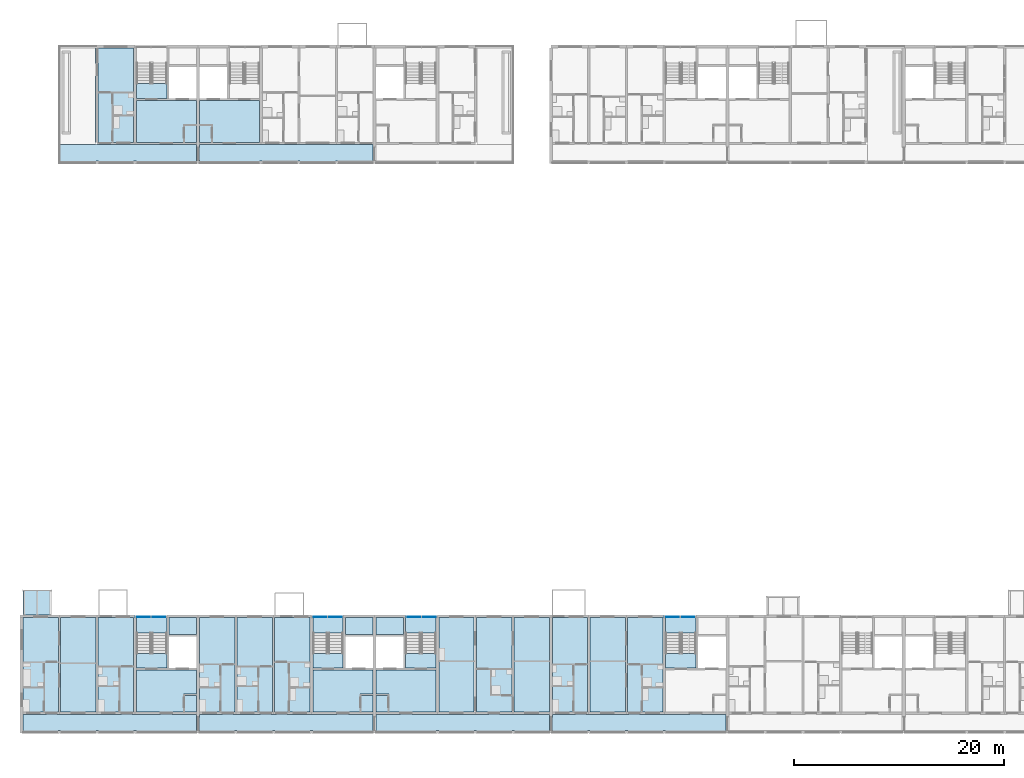
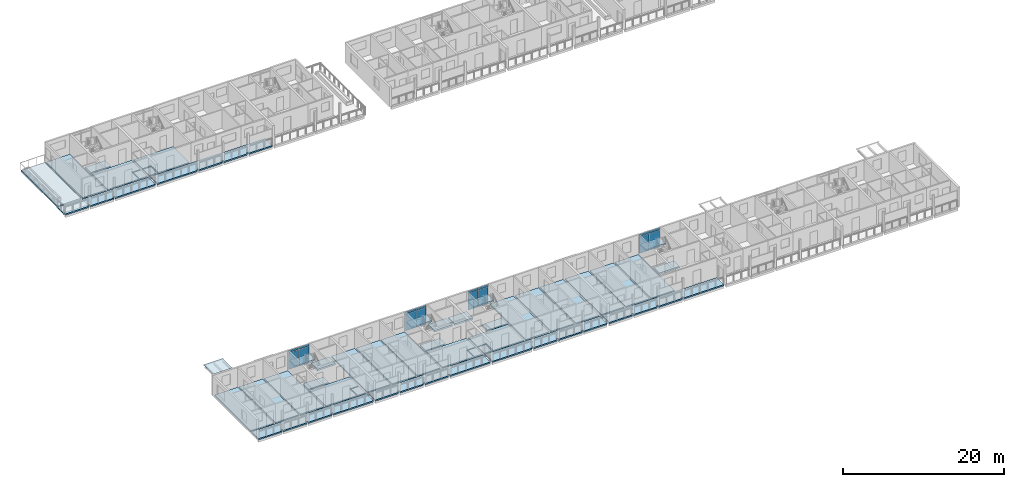
# One storey, part 23 of 94: 43 slabs, 16 plates, 8 elements without a shape of their own.
"""IFC4 building model written with IfcOpenShell, lengths in metres."""

from ifc_helpers import new_model, si_unit, direction, frame, origin, origin_2d, place, context, subcontext, project, spatial, polyline, rectangle, outline, extrude, material, layer, layer_set, type_object, element, aggregate, save


model = new_model("IFC4")

# Units and contexts
model_context = context("Model", 3, precision=1e-05, world=origin(), true_north=direction((0.0, 1.0)))
body_context = subcontext(model_context, "Body", "Model", "MODEL_VIEW")
ifc_project = project(units=[si_unit("LENGTHUNIT", "METRE"), si_unit("AREAUNIT", "SQUARE_METRE"), si_unit("VOLUMEUNIT", "CUBIC_METRE"), si_unit("PLANEANGLEUNIT", "RADIAN"), si_unit("MASSUNIT", "GRAM", prefix="KILO")], contexts=[model_context])

# Site, building, storey
site_placement = place(None, origin())
site = spatial("IfcSite", under=ifc_project, at=site_placement, CompositionType="ELEMENT")
building_placement = place(site_placement, origin())
building = spatial("IfcBuilding", under=site, at=building_placement, Name="Ridgestep Commons", CompositionType="ELEMENT")
storey_placement = place(building_placement, frame((0.0, 0.0, 21.0)))
storey = spatial("IfcBuildingStorey", under=building, at=storey_placement, Name="L07", CompositionType="ELEMENT", Elevation=21.0)

# Slabs
ifc_material_1 = material(Name="Precast concrete C40/50", Category="concrete")
ifc_layer_1 = layer(ifc_material_1, 0.199951171875)
ifc_layer_set_1 = layer_set([ifc_layer_1], Name="Gallery slab 200")
slab_type_1 = type_object("IfcSlabType", Name="Gallery slab 200", PredefinedType="FLOOR", material=ifc_layer_set_1)
slab_1_placement = place(storey_placement, frame((0.0, 0.0, -0.199951171875)))
element("IfcSlab", 1, at=slab_1_placement, inside=storey, type_object=slab_type_1, Name="Gallery slab A1 L07", PredefinedType="FLOOR", context=body_context, shape_type="SweptSolid", body=[
    extrude(outline(polyline([(28.64990234375, 13.550048828125), (12.14990234375, 13.550048828125), (12.14990234375, 11.75), (15.47509765625, 11.75), (15.47509765625, 12.0), (15.72509765625, 12.0), (15.72509765625, 11.75), (19.074951171875, 11.75), (19.074951171875, 12.0), (19.324951171875, 12.0), (19.324951171875, 11.75), (22.675048828125, 11.75), (22.675048828125, 12.0), (22.925048828125, 12.0), (22.925048828125, 11.75), (28.64990234375, 11.75), (28.64990234375, 13.550048828125)])), origin(), (0.0, 0.0, 1.0), 0.199951171875),
])
slab_2_placement = place(storey_placement, frame((0.0, 0.0, -0.199951171875)))
element("IfcSlab", 2, at=slab_2_placement, inside=storey, type_object=slab_type_1, Name="Gallery slab A2 L07", PredefinedType="FLOOR", context=body_context, shape_type="SweptSolid", body=[
    extrude(outline(polyline([(45.449951171875, 13.550048828125), (28.949951171875, 13.550048828125), (28.949951171875, 11.75), (32.27490234375, 11.75), (32.27490234375, 12.0), (32.52490234375, 12.0), (32.52490234375, 11.75), (35.875, 11.75), (35.875, 12.0), (36.125, 12.0), (36.125, 11.75), (39.47509765625, 11.75), (39.47509765625, 12.0), (39.72509765625, 12.0), (39.72509765625, 11.75), (45.449951171875, 11.75), (45.449951171875, 13.550048828125)])), origin(), (0.0, 0.0, 1.0), 0.199951171875),
])
slab_3_placement = place(storey_placement, frame((0.0, 0.0, -0.199951171875)))
element("IfcSlab", 3, at=slab_3_placement, inside=storey, type_object=slab_type_1, Name="Gallery slab A3 L07", PredefinedType="FLOOR", context=body_context, shape_type="SweptSolid", body=[
    extrude(outline(polyline([(62.25, 13.550048828125), (45.75, 13.550048828125), (45.75, 11.75), (51.47509765625, 11.75), (51.47509765625, 12.0), (51.72509765625, 12.0), (51.72509765625, 11.75), (55.074951171875, 11.75), (55.074951171875, 12.0), (55.324951171875, 12.0), (55.324951171875, 11.75), (58.675048828125, 11.75), (58.675048828125, 12.0), (58.925048828125, 12.0), (58.925048828125, 11.75), (62.25, 11.75), (62.25, 13.550048828125)])), origin(), (0.0, 0.0, 1.0), 0.199951171875),
])
slab_4_placement = place(storey_placement, frame((0.0, 0.0, -0.199951171875)))
element("IfcSlab", 4, at=slab_4_placement, inside=storey, type_object=slab_type_1, Name="Gallery slab A4 L07", PredefinedType="FLOOR", context=body_context, shape_type="SweptSolid", body=[
    extrude(outline(polyline([(79.050048828125, 13.550048828125), (62.550048828125, 13.550048828125), (62.550048828125, 11.75), (65.875, 11.75), (65.875, 12.0), (66.125, 12.0), (66.125, 11.75), (69.47509765625, 11.75), (69.47509765625, 12.0), (69.72509765625, 12.0), (69.72509765625, 11.75), (73.074951171875, 11.75), (73.074951171875, 12.0), (73.324951171875, 12.0), (73.324951171875, 11.75), (79.050048828125, 11.75), (79.050048828125, 13.550048828125)])), origin(), (0.0, 0.0, 1.0), 0.199951171875),
])
slab_5_placement = place(storey_placement, frame((0.0, 0.0, -0.199951171875)))
element("IfcSlab", 5, at=slab_5_placement, inside=storey, type_object=slab_type_1, Name="Gallery slab B1 L07", PredefinedType="FLOOR", context=body_context, shape_type="SweptSolid", body=[
    extrude(outline(polyline([(28.64990234375, 66.0), (28.64990234375, 67.800048828125), (15.60009765625, 67.800048828125), (15.60009765625, 66.25), (15.72509765625, 66.25), (15.72509765625, 66.0), (19.074951171875, 66.0), (19.074951171875, 66.25), (19.324951171875, 66.25), (19.324951171875, 66.0), (22.675048828125, 66.0), (22.675048828125, 66.25), (22.925048828125, 66.25), (22.925048828125, 66.0), (28.64990234375, 66.0)])), origin(), (0.0, 0.0, 1.0), 0.199951171875),
])
slab_6_placement = place(storey_placement, frame((0.0, 0.0, -0.199951171875)))
element("IfcSlab", 6, at=slab_6_placement, inside=storey, type_object=slab_type_1, Name="Gallery slab B2 L07", PredefinedType="FLOOR", context=body_context, shape_type="SweptSolid", body=[
    extrude(outline(polyline([(45.449951171875, 67.800048828125), (28.949951171875, 67.800048828125), (28.949951171875, 66.0), (34.675048828125, 66.0), (34.675048828125, 66.25), (34.925048828125, 66.25), (34.925048828125, 66.0), (38.27490234375, 66.0), (38.27490234375, 66.25), (38.52490234375, 66.25), (38.52490234375, 66.0), (41.875, 66.0), (41.875, 66.25), (42.125, 66.25), (42.125, 66.0), (45.449951171875, 66.0), (45.449951171875, 67.800048828125)])), origin(), (0.0, 0.0, 1.0), 0.199951171875),
])

# Curtain wall, plates
ifc_material_2 = material(Name="Aluminium 6063-T6 and glass", Category="aluminium")
curtain_wall_type = type_object("IfcCurtainWallType", Name="Curtain wall stair strip", PredefinedType="NOTDEFINED", material=ifc_material_2)
curtain_wall_1_placement = place(storey_placement, origin())
curtain_wall_1 = element("IfcCurtainWall", 7, at=curtain_wall_1_placement, inside=storey, type_object=curtain_wall_type, Name="Curtain wall A1C level 07", PredefinedType="NOTDEFINED")
ifc_material_3 = material(Name="Glass laminated 6/16/6 low-emissivity", Category="glass")
ifc_layer_2 = layer(ifc_material_3, 0.028076171875)
ifc_layer_set_2 = layer_set([ifc_layer_2], Name="Glazing panel 28")
plate_type_1 = type_object("IfcPlateType", Name="Glazing panel 28", PredefinedType="CURTAIN_PANEL", material=ifc_layer_set_2)
plate_1_placement = place(storey_placement, frame((23.5712890625, 22.830078125, 0.06005859375), z_axis=(0.0, 0.0, 1.0), x_axis=(1.0, 0.0, 0.0)))
plate_1 = element("IfcPlate", 8, at=plate_1_placement, type_object=plate_type_1, Name="CW1 panel 1.1", PredefinedType="CURTAIN_PANEL", context=body_context, shape_type="SweptSolid", body=[
    extrude(rectangle(XDim=1.422607421875, YDim=0.028076171875, at=origin_2d()), origin(), (0.0, 0.0, 1.0), 2.5),
])
plate_2_placement = place(storey_placement, frame((25.0537109375, 22.830078125, 0.06005859375), z_axis=(0.0, 0.0, 1.0), x_axis=(1.0, 0.0, 0.0)))
plate_2 = element("IfcPlate", 9, at=plate_2_placement, type_object=plate_type_1, Name="CW1 panel 2.1", PredefinedType="CURTAIN_PANEL", context=body_context, shape_type="SweptSolid", body=[
    extrude(rectangle(XDim=1.422607421875, YDim=0.028076171875, at=origin_2d()), origin(), (0.0, 0.0, 1.0), 2.5),
])

curtain_wall_2_placement = place(storey_placement, origin())
curtain_wall_2 = element("IfcCurtainWall", 10, at=curtain_wall_2_placement, inside=storey, type_object=curtain_wall_type, Name="Curtain wall A2C level 07", PredefinedType="NOTDEFINED")
plate_3_placement = place(storey_placement, frame((40.371337890625, 22.830078125, 0.06005859375), z_axis=(0.0, 0.0, 1.0), x_axis=(1.0, 0.0, 0.0)))
plate_3 = element("IfcPlate", 11, at=plate_3_placement, type_object=plate_type_1, Name="CW1 panel 1.1", PredefinedType="CURTAIN_PANEL", context=body_context, shape_type="SweptSolid", body=[
    extrude(rectangle(XDim=1.422607421875, YDim=0.028076171875, at=origin_2d()), origin(), (0.0, 0.0, 1.0), 2.5),
])
plate_4_placement = place(storey_placement, frame((41.853759765625, 22.830078125, 0.06005859375), z_axis=(0.0, 0.0, 1.0), x_axis=(1.0, 0.0, 0.0)))
plate_4 = element("IfcPlate", 12, at=plate_4_placement, type_object=plate_type_1, Name="CW1 panel 2.1", PredefinedType="CURTAIN_PANEL", context=body_context, shape_type="SweptSolid", body=[
    extrude(rectangle(XDim=1.422607421875, YDim=0.028076171875, at=origin_2d()), origin(), (0.0, 0.0, 1.0), 2.5),
])

curtain_wall_3_placement = place(storey_placement, origin())
curtain_wall_3 = element("IfcCurtainWall", 13, at=curtain_wall_3_placement, inside=storey, type_object=curtain_wall_type, Name="Curtain wall A3C level 07", PredefinedType="NOTDEFINED")
plate_5_placement = place(storey_placement, frame((49.34619140625, 22.830078125, 0.06005859375), z_axis=(0.0, 0.0, 1.0), x_axis=(1.0, 0.0, 0.0)))
plate_5 = element("IfcPlate", 14, at=plate_5_placement, type_object=plate_type_1, Name="CW1 panel 1.1", PredefinedType="CURTAIN_PANEL", context=body_context, shape_type="SweptSolid", body=[
    extrude(rectangle(XDim=1.422607421875, YDim=0.028076171875, at=origin_2d()), origin(), (0.0, 0.0, 1.0), 2.5),
])
plate_6_placement = place(storey_placement, frame((50.828857421875, 22.830078125, 0.06005859375), z_axis=(0.0, 0.0, 1.0), x_axis=(1.0, 0.0, 0.0)))
plate_6 = element("IfcPlate", 15, at=plate_6_placement, type_object=plate_type_1, Name="CW1 panel 2.1", PredefinedType="CURTAIN_PANEL", context=body_context, shape_type="SweptSolid", body=[
    extrude(rectangle(XDim=1.422607421875, YDim=0.028076171875, at=origin_2d()), origin(), (0.0, 0.0, 1.0), 2.5),
])

curtain_wall_4_placement = place(storey_placement, origin())
curtain_wall_4 = element("IfcCurtainWall", 16, at=curtain_wall_4_placement, inside=storey, type_object=curtain_wall_type, Name="Curtain wall A4C level 07", PredefinedType="NOTDEFINED")
plate_7_placement = place(storey_placement, frame((73.97119140625, 22.830078125, 0.06005859375), z_axis=(0.0, 0.0, 1.0), x_axis=(1.0, 0.0, 0.0)))
plate_7 = element("IfcPlate", 17, at=plate_7_placement, type_object=plate_type_1, Name="CW1 panel 1.1", PredefinedType="CURTAIN_PANEL", context=body_context, shape_type="SweptSolid", body=[
    extrude(rectangle(XDim=1.422607421875, YDim=0.028076171875, at=origin_2d()), origin(), (0.0, 0.0, 1.0), 2.5),
])
plate_8_placement = place(storey_placement, frame((75.453857421875, 22.830078125, 0.06005859375), z_axis=(0.0, 0.0, 1.0), x_axis=(1.0, 0.0, 0.0)))
plate_8 = element("IfcPlate", 18, at=plate_8_placement, type_object=plate_type_1, Name="CW1 panel 2.1", PredefinedType="CURTAIN_PANEL", context=body_context, shape_type="SweptSolid", body=[
    extrude(rectangle(XDim=1.422607421875, YDim=0.028076171875, at=origin_2d()), origin(), (0.0, 0.0, 1.0), 2.5),
])

# Slabs
ifc_material_4 = material(Name="Precast concrete C50/60", Category="concrete")
ifc_layer_3 = layer(ifc_material_4, 0.199951171875)
ifc_layer_set_3 = layer_set([ifc_layer_3], Name="Hollow-core plank 200")
slab_type_2 = type_object("IfcSlabType", Name="Hollow-core plank 200", PredefinedType="FLOOR", material=ifc_layer_set_3)
slab_7_placement = place(storey_placement, frame((0.0, 0.0, -0.199951171875)))
element("IfcSlab", 19, at=slab_7_placement, inside=storey, type_object=slab_type_2, Name="Floor plank A1T1 L07", PredefinedType="FLOOR", context=body_context, shape_type="SweptSolid", body=[
    extrude(outline(polyline([(15.5, 13.75), (15.5, 22.75), (12.14990234375, 22.75), (12.14990234375, 13.75), (15.5, 13.75)])), origin(), (0.0, 0.0, 1.0), 0.199951171875),
])
slab_8_placement = place(storey_placement, frame((0.0, 0.0, -0.199951171875)))
element("IfcSlab", 20, at=slab_8_placement, inside=storey, type_object=slab_type_2, Name="Floor plank A1T2 L07", PredefinedType="FLOOR", context=body_context, shape_type="SweptSolid", body=[
    extrude(outline(polyline([(19.10009765625, 13.75), (19.10009765625, 22.75), (15.699951171875, 22.75), (15.699951171875, 13.75), (19.10009765625, 13.75)])), origin(), (0.0, 0.0, 1.0), 0.199951171875),
])
slab_9_placement = place(storey_placement, frame((0.0, 0.0, -0.199951171875)))
element("IfcSlab", 21, at=slab_9_placement, inside=storey, type_object=slab_type_2, Name="Floor plank A1T3 L07", PredefinedType="FLOOR", context=body_context, shape_type="SweptSolid", body=[
    extrude(outline(polyline([(22.675048828125, 13.75), (22.675048828125, 22.75), (19.300048828125, 22.75), (19.300048828125, 13.75), (22.675048828125, 13.75)])), origin(), (0.0, 0.0, 1.0), 0.199951171875),
])
slab_10_placement = place(storey_placement, frame((0.0, 0.0, -0.199951171875)))
element("IfcSlab", 22, at=slab_10_placement, inside=storey, type_object=slab_type_2, Name="Floor plank A2T1 L07", PredefinedType="FLOOR", context=body_context, shape_type="SweptSolid", body=[
    extrude(outline(polyline([(32.300048828125, 13.75), (32.300048828125, 22.75), (28.949951171875, 22.75), (28.949951171875, 13.75), (32.300048828125, 13.75)])), origin(), (0.0, 0.0, 1.0), 0.199951171875),
])
slab_11_placement = place(storey_placement, frame((0.0, 0.0, -0.199951171875)))
element("IfcSlab", 23, at=slab_11_placement, inside=storey, type_object=slab_type_2, Name="Floor plank A2T2 L07", PredefinedType="FLOOR", context=body_context, shape_type="SweptSolid", body=[
    extrude(outline(polyline([(35.89990234375, 13.75), (35.89990234375, 22.75), (32.5, 22.75), (32.5, 13.75), (35.89990234375, 13.75)])), origin(), (0.0, 0.0, 1.0), 0.199951171875),
])
slab_12_placement = place(storey_placement, frame((0.0, 0.0, -0.199951171875)))
element("IfcSlab", 24, at=slab_12_placement, inside=storey, type_object=slab_type_2, Name="Floor plank A2T3 L07", PredefinedType="FLOOR", context=body_context, shape_type="SweptSolid", body=[
    extrude(outline(polyline([(39.47509765625, 13.75), (39.47509765625, 22.75), (36.10009765625, 22.75), (36.10009765625, 13.75), (39.47509765625, 13.75)])), origin(), (0.0, 0.0, 1.0), 0.199951171875),
])
slab_13_placement = place(storey_placement, frame((0.0, 0.0, -0.199951171875)))
element("IfcSlab", 25, at=slab_13_placement, inside=storey, type_object=slab_type_2, Name="Floor plank A3T3 L07", PredefinedType="FLOOR", context=body_context, shape_type="SweptSolid", body=[
    extrude(outline(polyline([(55.074951171875, 13.75), (55.074951171875, 22.75), (51.72509765625, 22.75), (51.72509765625, 13.75), (55.074951171875, 13.75)])), origin(), (0.0, 0.0, 1.0), 0.199951171875),
])
slab_14_placement = place(storey_placement, frame((0.0, 0.0, -0.199951171875)))
element("IfcSlab", 26, at=slab_14_placement, inside=storey, type_object=slab_type_2, Name="Floor plank A3T2 L07", PredefinedType="FLOOR", context=body_context, shape_type="SweptSolid", body=[
    extrude(outline(polyline([(58.699951171875, 13.75), (58.699951171875, 22.75), (55.324951171875, 22.75), (55.324951171875, 13.75), (58.699951171875, 13.75)])), origin(), (0.0, 0.0, 1.0), 0.199951171875),
])
slab_15_placement = place(storey_placement, frame((0.0, 0.0, -0.199951171875)))
element("IfcSlab", 27, at=slab_15_placement, inside=storey, type_object=slab_type_2, Name="Floor plank A3T1 L07", PredefinedType="FLOOR", context=body_context, shape_type="SweptSolid", body=[
    extrude(outline(polyline([(62.25, 13.75), (62.25, 22.75), (58.89990234375, 22.75), (58.89990234375, 13.75), (62.25, 13.75)])), origin(), (0.0, 0.0, 1.0), 0.199951171875),
])
slab_16_placement = place(storey_placement, frame((0.0, 0.0, -0.199951171875)))
element("IfcSlab", 28, at=slab_16_placement, inside=storey, type_object=slab_type_2, Name="Floor plank A4T1 L07", PredefinedType="FLOOR", context=body_context, shape_type="SweptSolid", body=[
    extrude(outline(polyline([(65.89990234375, 13.75), (65.89990234375, 22.75), (62.550048828125, 22.75), (62.550048828125, 13.75), (65.89990234375, 13.75)])), origin(), (0.0, 0.0, 1.0), 0.199951171875),
])
slab_17_placement = place(storey_placement, frame((0.0, 0.0, -0.199951171875)))
element("IfcSlab", 29, at=slab_17_placement, inside=storey, type_object=slab_type_2, Name="Floor plank A4T2 L07", PredefinedType="FLOOR", context=body_context, shape_type="SweptSolid", body=[
    extrude(outline(polyline([(69.5, 13.75), (69.5, 22.75), (66.10009765625, 22.75), (66.10009765625, 13.75), (69.5, 13.75)])), origin(), (0.0, 0.0, 1.0), 0.199951171875),
])
slab_18_placement = place(storey_placement, frame((0.0, 0.0, -0.199951171875)))
element("IfcSlab", 30, at=slab_18_placement, inside=storey, type_object=slab_type_2, Name="Floor plank A4T3 L07", PredefinedType="FLOOR", context=body_context, shape_type="SweptSolid", body=[
    extrude(outline(polyline([(73.074951171875, 13.75), (73.074951171875, 22.75), (69.699951171875, 22.75), (69.699951171875, 13.75), (73.074951171875, 13.75)])), origin(), (0.0, 0.0, 1.0), 0.199951171875),
])
slab_19_placement = place(storey_placement, frame((0.0, 0.0, -0.199951171875)))
element("IfcSlab", 31, at=slab_19_placement, inside=storey, type_object=slab_type_2, Name="Floor plank B1T3 L07", PredefinedType="FLOOR", context=body_context, shape_type="SweptSolid", body=[
    extrude(outline(polyline([(22.675048828125, 68.0), (22.675048828125, 77.0), (19.300048828125, 77.0), (19.300048828125, 68.0), (22.675048828125, 68.0)])), origin(), (0.0, 0.0, 1.0), 0.199951171875),
])
ifc_material_5 = material(Name="Precast concrete C50/60", Category="concrete")
ifc_layer_4 = layer(ifc_material_5, 0.25)
ifc_layer_set_4 = layer_set([ifc_layer_4], Name="Hollow-core plank 250")
slab_type_3 = type_object("IfcSlabType", Name="Hollow-core plank 250", PredefinedType="FLOOR", material=ifc_layer_set_4)
slab_20_placement = place(storey_placement, frame((0.0, 0.0, -0.25)))
element("IfcSlab", 32, at=slab_20_placement, inside=storey, type_object=slab_type_3, Name="Floor plank A1C L07", PredefinedType="FLOOR", context=body_context, shape_type="SweptSolid", body=[
    extrude(outline(polyline([(27.52001953125, 15.469970703125), (28.64990234375, 15.469970703125), (28.64990234375, 17.75), (22.925048828125, 17.75), (22.925048828125, 13.75), (27.39990234375, 13.75), (27.39990234375, 15.469970703125), (27.52001953125, 15.469970703125)])), origin(), (0.0, 0.0, 1.0), 0.25),
])
slab_21_placement = place(storey_placement, frame((0.0, 0.0, -0.25)))
element("IfcSlab", 33, at=slab_21_placement, inside=storey, type_object=slab_type_3, Name="Floor plank A1C L07", PredefinedType="FLOOR", context=body_context, shape_type="SweptSolid", body=[
    extrude(outline(polyline([(28.64990234375, 21.14990234375), (28.64990234375, 22.75), (26.02490234375, 22.75), (26.02490234375, 21.14990234375), (28.64990234375, 21.14990234375)])), origin(), (0.0, 0.0, 1.0), 0.25),
])
slab_22_placement = place(storey_placement, frame((0.0, 0.0, -0.25)))
element("IfcSlab", 34, at=slab_22_placement, inside=storey, type_object=slab_type_3, Name="Floor plank A1C L07", PredefinedType="FLOOR", context=body_context, shape_type="SweptSolid", body=[
    extrude(outline(polyline([(25.824951171875, 17.949951171875), (25.824951171875, 19.35009765625), (22.925048828125, 19.35009765625), (22.925048828125, 17.949951171875), (25.824951171875, 17.949951171875)])), origin(), (0.0, 0.0, 1.0), 0.25),
])
slab_23_placement = place(storey_placement, frame((0.0, 0.0, -0.25)))
element("IfcSlab", 35, at=slab_23_placement, inside=storey, type_object=slab_type_3, Name="Floor plank A1C L07", PredefinedType="FLOOR", context=body_context, shape_type="SweptSolid", body=[
    extrude(outline(polyline([(27.52001953125, 13.75), (28.64990234375, 13.75), (28.64990234375, 15.35009765625), (27.52001953125, 15.35009765625), (27.52001953125, 13.75)])), origin(), (0.0, 0.0, 1.0), 0.25),
])
slab_24_placement = place(storey_placement, frame((0.0, 0.0, -0.25)))
element("IfcSlab", 36, at=slab_24_placement, inside=storey, type_object=slab_type_3, Name="Floor plank A2C L07", PredefinedType="FLOOR", context=body_context, shape_type="SweptSolid", body=[
    extrude(outline(polyline([(44.320068359375, 15.469970703125), (45.449951171875, 15.469970703125), (45.449951171875, 17.75), (39.72509765625, 17.75), (39.72509765625, 13.75), (44.199951171875, 13.75), (44.199951171875, 15.469970703125), (44.320068359375, 15.469970703125)])), origin(), (0.0, 0.0, 1.0), 0.25),
])
slab_25_placement = place(storey_placement, frame((0.0, 0.0, -0.25)))
element("IfcSlab", 37, at=slab_25_placement, inside=storey, type_object=slab_type_3, Name="Floor plank A2C L07", PredefinedType="FLOOR", context=body_context, shape_type="SweptSolid", body=[
    extrude(outline(polyline([(45.449951171875, 21.14990234375), (45.449951171875, 22.75), (42.824951171875, 22.75), (42.824951171875, 21.14990234375), (45.449951171875, 21.14990234375)])), origin(), (0.0, 0.0, 1.0), 0.25),
])
slab_26_placement = place(storey_placement, frame((0.0, 0.0, -0.25)))
element("IfcSlab", 38, at=slab_26_placement, inside=storey, type_object=slab_type_3, Name="Floor plank A2C L07", PredefinedType="FLOOR", context=body_context, shape_type="SweptSolid", body=[
    extrude(outline(polyline([(42.625, 17.949951171875), (42.625, 19.35009765625), (39.72509765625, 19.35009765625), (39.72509765625, 17.949951171875), (42.625, 17.949951171875)])), origin(), (0.0, 0.0, 1.0), 0.25),
])
slab_27_placement = place(storey_placement, frame((0.0, 0.0, -0.25)))
element("IfcSlab", 39, at=slab_27_placement, inside=storey, type_object=slab_type_3, Name="Floor plank A2C L07", PredefinedType="FLOOR", context=body_context, shape_type="SweptSolid", body=[
    extrude(outline(polyline([(44.320068359375, 13.75), (45.449951171875, 13.75), (45.449951171875, 15.35009765625), (44.320068359375, 15.35009765625), (44.320068359375, 13.75)])), origin(), (0.0, 0.0, 1.0), 0.25),
])
slab_28_placement = place(storey_placement, frame((0.0, 0.0, -0.25)))
element("IfcSlab", 40, at=slab_28_placement, inside=storey, type_object=slab_type_3, Name="Floor plank A3C L07", PredefinedType="FLOOR", context=body_context, shape_type="SweptSolid", body=[
    extrude(outline(polyline([(47.0, 13.75), (51.47509765625, 13.75), (51.47509765625, 17.75), (45.75, 17.75), (45.75, 15.469970703125), (46.8798828125, 15.469970703125), (47.0, 15.469970703125), (47.0, 13.75)])), origin(), (0.0, 0.0, 1.0), 0.25),
])
slab_29_placement = place(storey_placement, frame((0.0, 0.0, -0.25)))
element("IfcSlab", 41, at=slab_29_placement, inside=storey, type_object=slab_type_3, Name="Floor plank A3C L07", PredefinedType="FLOOR", context=body_context, shape_type="SweptSolid", body=[
    extrude(outline(polyline([(48.375, 22.75), (45.75, 22.75), (45.75, 21.14990234375), (48.375, 21.14990234375), (48.375, 22.75)])), origin(), (0.0, 0.0, 1.0), 0.25),
])
slab_30_placement = place(storey_placement, frame((0.0, 0.0, -0.25)))
element("IfcSlab", 42, at=slab_30_placement, inside=storey, type_object=slab_type_3, Name="Floor plank A3C L07", PredefinedType="FLOOR", context=body_context, shape_type="SweptSolid", body=[
    extrude(outline(polyline([(51.47509765625, 17.949951171875), (51.47509765625, 19.35009765625), (48.574951171875, 19.35009765625), (48.574951171875, 17.949951171875), (51.47509765625, 17.949951171875)])), origin(), (0.0, 0.0, 1.0), 0.25),
])
slab_31_placement = place(storey_placement, frame((0.0, 0.0, -0.25)))
element("IfcSlab", 43, at=slab_31_placement, inside=storey, type_object=slab_type_3, Name="Floor plank A3C L07", PredefinedType="FLOOR", context=body_context, shape_type="SweptSolid", body=[
    extrude(outline(polyline([(46.8798828125, 15.35009765625), (45.75, 15.35009765625), (45.75, 13.75), (46.8798828125, 13.75), (46.8798828125, 15.35009765625)])), origin(), (0.0, 0.0, 1.0), 0.25),
])
slab_32_placement = place(storey_placement, frame((0.0, 0.0, -0.25)))
element("IfcSlab", 44, at=slab_32_placement, inside=storey, type_object=slab_type_3, Name="Floor plank A4C L07", PredefinedType="FLOOR", context=body_context, shape_type="SweptSolid", body=[
    extrude(outline(polyline([(76.22509765625, 17.949951171875), (76.22509765625, 19.35009765625), (73.324951171875, 19.35009765625), (73.324951171875, 17.949951171875), (76.22509765625, 17.949951171875)])), origin(), (0.0, 0.0, 1.0), 0.25),
])
slab_33_placement = place(storey_placement, frame((0.0, 0.0, -0.25)))
element("IfcSlab", 45, at=slab_33_placement, inside=storey, type_object=slab_type_3, Name="Floor plank B1C L07", PredefinedType="FLOOR", context=body_context, shape_type="SweptSolid", body=[
    extrude(outline(polyline([(27.52001953125, 69.719970703125), (28.64990234375, 69.719970703125), (28.64990234375, 72.0), (22.925048828125, 72.0), (22.925048828125, 68.0), (27.39990234375, 68.0), (27.39990234375, 69.719970703125), (27.52001953125, 69.719970703125)])), origin(), (0.0, 0.0, 1.0), 0.25),
])
slab_34_placement = place(storey_placement, frame((0.0, 0.0, -0.25)))
element("IfcSlab", 46, at=slab_34_placement, inside=storey, type_object=slab_type_3, Name="Floor plank B1C L07", PredefinedType="FLOOR", context=body_context, shape_type="SweptSolid", body=[
    extrude(outline(polyline([(25.824951171875, 72.199951171875), (25.824951171875, 73.60009765625), (22.925048828125, 73.60009765625), (22.925048828125, 72.199951171875), (25.824951171875, 72.199951171875)])), origin(), (0.0, 0.0, 1.0), 0.25),
])
slab_35_placement = place(storey_placement, frame((0.0, 0.0, -0.25)))
element("IfcSlab", 47, at=slab_35_placement, inside=storey, type_object=slab_type_3, Name="Floor plank B1C L07", PredefinedType="FLOOR", context=body_context, shape_type="SweptSolid", body=[
    extrude(outline(polyline([(27.52001953125, 68.0), (28.64990234375, 68.0), (28.64990234375, 69.60009765625), (27.52001953125, 69.60009765625), (27.52001953125, 68.0)])), origin(), (0.0, 0.0, 1.0), 0.25),
])
slab_36_placement = place(storey_placement, frame((0.0, 0.0, -0.25)))
element("IfcSlab", 48, at=slab_36_placement, inside=storey, type_object=slab_type_3, Name="Floor plank B2C L07", PredefinedType="FLOOR", context=body_context, shape_type="SweptSolid", body=[
    extrude(outline(polyline([(30.199951171875, 68.0), (34.675048828125, 68.0), (34.675048828125, 72.0), (28.949951171875, 72.0), (28.949951171875, 69.719970703125), (30.080078125, 69.719970703125), (30.199951171875, 69.719970703125), (30.199951171875, 68.0)])), origin(), (0.0, 0.0, 1.0), 0.25),
])
slab_37_placement = place(storey_placement, frame((0.0, 0.0, -0.25)))
element("IfcSlab", 49, at=slab_37_placement, inside=storey, type_object=slab_type_3, Name="Floor plank B2C L07", PredefinedType="FLOOR", context=body_context, shape_type="SweptSolid", body=[
    extrude(outline(polyline([(30.080078125, 69.60009765625), (28.949951171875, 69.60009765625), (28.949951171875, 68.0), (30.080078125, 68.0), (30.080078125, 69.60009765625)])), origin(), (0.0, 0.0, 1.0), 0.25),
])
ifc_material_6 = material(Name="Precast concrete C50/60", Category="concrete")
ifc_layer_5 = layer(ifc_material_6, 0.25)
ifc_layer_set_5 = layer_set([ifc_layer_5], Name="Roof slab 250")
slab_type_4 = type_object("IfcSlabType", Name="Roof slab 250", PredefinedType="ROOF", material=ifc_layer_set_5)
slab_38_placement = place(storey_placement, frame((0.0, 0.0, -0.25)))
element("IfcSlab", 50, at=slab_38_placement, inside=storey, type_object=slab_type_4, Name="Terrace slab B1T2", PredefinedType="ROOF", context=body_context, shape_type="SweptSolid", body=[
    extrude(outline(polyline([(19.10009765625, 68.0), (19.10009765625, 77.0), (15.699951171875, 77.0), (15.699951171875, 68.0), (19.10009765625, 68.0)])), origin(), (0.0, 0.0, 1.0), 0.25),
])

# Plate
ifc_material_7 = material(Name="Aluminium 6063-T6 and mineral wool", Category="aluminium")
ifc_layer_6 = layer(ifc_material_7, 0.0400390625)
ifc_layer_set_6 = layer_set([ifc_layer_6], Name="Spandrel panel 40")
plate_type_2 = type_object("IfcPlateType", Name="Spandrel panel 40", PredefinedType="CURTAIN_PANEL", material=ifc_layer_set_6)
plate_9_placement = place(storey_placement, frame((23.5712890625, 22.830078125, 2.6201171875), z_axis=(0.0, 0.0, 1.0), x_axis=(1.0, 0.0, 0.0)))
plate_9 = element("IfcPlate", 51, at=plate_9_placement, type_object=plate_type_2, Name="CW1 panel 1.2", PredefinedType="CURTAIN_PANEL", context=body_context, shape_type="SweptSolid", body=[
    extrude(rectangle(XDim=1.422607421875, YDim=0.0400390625, at=origin_2d()), origin(), (0.0, 0.0, 1.0), 0.320068359375),
])

plate_10_placement = place(storey_placement, frame((25.0537109375, 22.830078125, 2.6201171875), z_axis=(0.0, 0.0, 1.0), x_axis=(1.0, 0.0, 0.0)))
plate_10 = element("IfcPlate", 52, at=plate_10_placement, type_object=plate_type_2, Name="CW1 panel 2.2", PredefinedType="CURTAIN_PANEL", context=body_context, shape_type="SweptSolid", body=[
    extrude(rectangle(XDim=1.422607421875, YDim=0.0400390625, at=origin_2d()), origin(), (0.0, 0.0, 1.0), 0.320068359375),
])

aggregate(curtain_wall_1, [plate_1, plate_9, plate_2, plate_10])

plate_11_placement = place(storey_placement, frame((40.371337890625, 22.830078125, 2.6201171875), z_axis=(0.0, 0.0, 1.0), x_axis=(1.0, 0.0, 0.0)))
plate_11 = element("IfcPlate", 53, at=plate_11_placement, type_object=plate_type_2, Name="CW1 panel 1.2", PredefinedType="CURTAIN_PANEL", context=body_context, shape_type="SweptSolid", body=[
    extrude(rectangle(XDim=1.422607421875, YDim=0.0400390625, at=origin_2d()), origin(), (0.0, 0.0, 1.0), 0.320068359375),
])

plate_12_placement = place(storey_placement, frame((41.853759765625, 22.830078125, 2.6201171875), z_axis=(0.0, 0.0, 1.0), x_axis=(1.0, 0.0, 0.0)))
plate_12 = element("IfcPlate", 54, at=plate_12_placement, type_object=plate_type_2, Name="CW1 panel 2.2", PredefinedType="CURTAIN_PANEL", context=body_context, shape_type="SweptSolid", body=[
    extrude(rectangle(XDim=1.422607421875, YDim=0.0400390625, at=origin_2d()), origin(), (0.0, 0.0, 1.0), 0.320068359375),
])

aggregate(curtain_wall_2, [plate_3, plate_11, plate_4, plate_12])

plate_13_placement = place(storey_placement, frame((49.34619140625, 22.830078125, 2.6201171875), z_axis=(0.0, 0.0, 1.0), x_axis=(1.0, 0.0, 0.0)))
plate_13 = element("IfcPlate", 55, at=plate_13_placement, type_object=plate_type_2, Name="CW1 panel 1.2", PredefinedType="CURTAIN_PANEL", context=body_context, shape_type="SweptSolid", body=[
    extrude(rectangle(XDim=1.422607421875, YDim=0.0400390625, at=origin_2d()), origin(), (0.0, 0.0, 1.0), 0.320068359375),
])

plate_14_placement = place(storey_placement, frame((50.828857421875, 22.830078125, 2.6201171875), z_axis=(0.0, 0.0, 1.0), x_axis=(1.0, 0.0, 0.0)))
plate_14 = element("IfcPlate", 56, at=plate_14_placement, type_object=plate_type_2, Name="CW1 panel 2.2", PredefinedType="CURTAIN_PANEL", context=body_context, shape_type="SweptSolid", body=[
    extrude(rectangle(XDim=1.422607421875, YDim=0.0400390625, at=origin_2d()), origin(), (0.0, 0.0, 1.0), 0.320068359375),
])

aggregate(curtain_wall_3, [plate_5, plate_13, plate_6, plate_14])

plate_15_placement = place(storey_placement, frame((73.97119140625, 22.830078125, 2.6201171875), z_axis=(0.0, 0.0, 1.0), x_axis=(1.0, 0.0, 0.0)))
plate_15 = element("IfcPlate", 57, at=plate_15_placement, type_object=plate_type_2, Name="CW1 panel 1.2", PredefinedType="CURTAIN_PANEL", context=body_context, shape_type="SweptSolid", body=[
    extrude(rectangle(XDim=1.422607421875, YDim=0.0400390625, at=origin_2d()), origin(), (0.0, 0.0, 1.0), 0.320068359375),
])

plate_16_placement = place(storey_placement, frame((75.453857421875, 22.830078125, 2.6201171875), z_axis=(0.0, 0.0, 1.0), x_axis=(1.0, 0.0, 0.0)))
plate_16 = element("IfcPlate", 58, at=plate_16_placement, type_object=plate_type_2, Name="CW1 panel 2.2", PredefinedType="CURTAIN_PANEL", context=body_context, shape_type="SweptSolid", body=[
    extrude(rectangle(XDim=1.422607421875, YDim=0.0400390625, at=origin_2d()), origin(), (0.0, 0.0, 1.0), 0.320068359375),
])

aggregate(curtain_wall_4, [plate_7, plate_15, plate_8, plate_16])

# Stair, slab
ifc_material_8 = material(Name="Precast concrete C40/50", Category="concrete")
stair_type = type_object("IfcStairType", Name="Escape stair 1400", PredefinedType="HALF_TURN_STAIR", material=ifc_material_8)
stair_1_placement = place(storey_placement, origin())
stair_1 = element("IfcStair", 59, at=stair_1_placement, inside=storey, type_object=stair_type, Name="L07 Escape stair A1C", PredefinedType="HALF_TURN_STAIR")
ifc_material_9 = material(Name="Precast concrete C40/50", Category="concrete")
ifc_layer_7 = layer(ifc_material_9, 0.199951171875)
ifc_layer_set_7 = layer_set([ifc_layer_7], Name="Stair landing 200")
slab_type_5 = type_object("IfcSlabType", Name="Stair landing 200", PredefinedType="LANDING", material=ifc_layer_set_7)
slab_39_placement = place(storey_placement, frame((0.0, 0.0, 1.300048828125)))
slab_39 = element("IfcSlab", 60, at=slab_39_placement, type_object=slab_type_5, Name="A1C landing 1", PredefinedType="LANDING", context=body_context, shape_type="SweptSolid", body=[
    extrude(outline(polyline([(25.824951171875, 21.31005859375), (25.824951171875, 22.75), (22.925048828125, 22.75), (22.925048828125, 21.31005859375), (25.824951171875, 21.31005859375)])), origin(), (0.0, 0.0, 1.0), 0.199951171875),
])
aggregate(stair_1, [slab_39])

stair_2_placement = place(storey_placement, origin())
stair_2 = element("IfcStair", 61, at=stair_2_placement, inside=storey, type_object=stair_type, Name="L07 Escape stair A2C", PredefinedType="HALF_TURN_STAIR")
slab_40_placement = place(storey_placement, frame((0.0, 0.0, 1.300048828125)))
slab_40 = element("IfcSlab", 62, at=slab_40_placement, type_object=slab_type_5, Name="A2C landing 1", PredefinedType="LANDING", context=body_context, shape_type="SweptSolid", body=[
    extrude(outline(polyline([(42.625, 21.31005859375), (42.625, 22.75), (39.72509765625, 22.75), (39.72509765625, 21.31005859375), (42.625, 21.31005859375)])), origin(), (0.0, 0.0, 1.0), 0.199951171875),
])
aggregate(stair_2, [slab_40])

stair_3_placement = place(storey_placement, origin())
stair_3 = element("IfcStair", 63, at=stair_3_placement, inside=storey, type_object=stair_type, Name="L07 Escape stair A3C", PredefinedType="HALF_TURN_STAIR")
slab_41_placement = place(storey_placement, frame((0.0, 0.0, 1.300048828125)))
slab_41 = element("IfcSlab", 64, at=slab_41_placement, type_object=slab_type_5, Name="A3C landing 1", PredefinedType="LANDING", context=body_context, shape_type="SweptSolid", body=[
    extrude(outline(polyline([(51.47509765625, 21.31005859375), (51.47509765625, 22.75), (48.574951171875, 22.75), (48.574951171875, 21.31005859375), (51.47509765625, 21.31005859375)])), origin(), (0.0, 0.0, 1.0), 0.199951171875),
])
aggregate(stair_3, [slab_41])

stair_4_placement = place(storey_placement, origin())
stair_4 = element("IfcStair", 65, at=stair_4_placement, inside=storey, type_object=stair_type, Name="L07 Escape stair A4C", PredefinedType="HALF_TURN_STAIR")
slab_42_placement = place(storey_placement, frame((0.0, 0.0, 1.300048828125)))
slab_42 = element("IfcSlab", 66, at=slab_42_placement, type_object=slab_type_5, Name="A4C landing 1", PredefinedType="LANDING", context=body_context, shape_type="SweptSolid", body=[
    extrude(outline(polyline([(76.22509765625, 21.31005859375), (76.22509765625, 22.75), (73.324951171875, 22.75), (73.324951171875, 21.31005859375), (76.22509765625, 21.31005859375)])), origin(), (0.0, 0.0, 1.0), 0.199951171875),
])
aggregate(stair_4, [slab_42])

# Slab
ifc_material_10 = material(Name="Weathering steel S355J2W", Category="steel")
ifc_layer_8 = layer(ifc_material_10, 0.010009765625)
ifc_layer_set_8 = layer_set([ifc_layer_8], Name="Tray 2.8 x 2.4")
slab_type_6 = type_object("IfcSlabType", Name="Tray 2.8 x 2.4", PredefinedType="FLOOR", material=ifc_layer_set_8)
slab_43_placement = place(storey_placement, frame((0.0, 0.0, 2.989990234375)))
element("IfcSlab", 67, at=slab_43_placement, inside=storey, type_object=slab_type_6, Name="Tray deck A1T1-08", PredefinedType="FLOOR", context=body_context, shape_type="SweptSolid", body=[
    extrude(outline(polyline([(12.1298828125, 23.0), (14.8701171875, 23.0), (14.8701171875, 25.39990234375), (12.1298828125, 25.39990234375), (12.1298828125, 23.0)])), origin(), (0.0, 0.0, 1.0), 0.010009765625),
])

save(model, "model.ifc")
